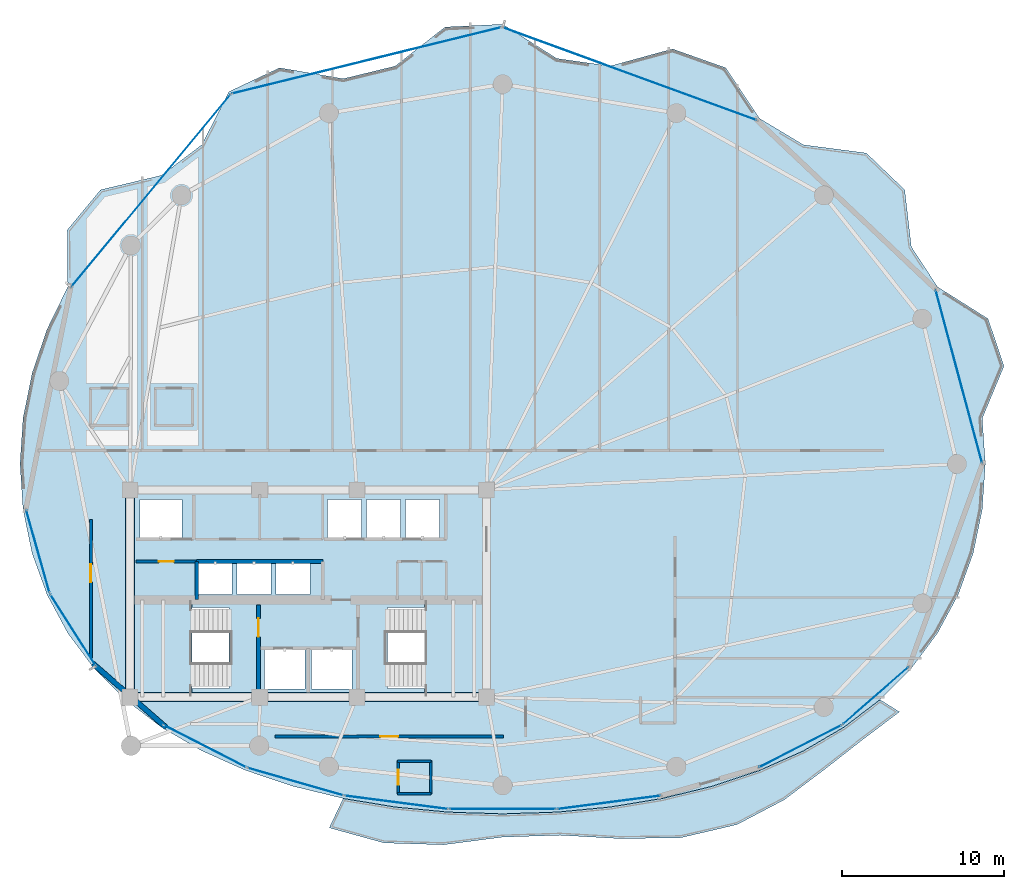
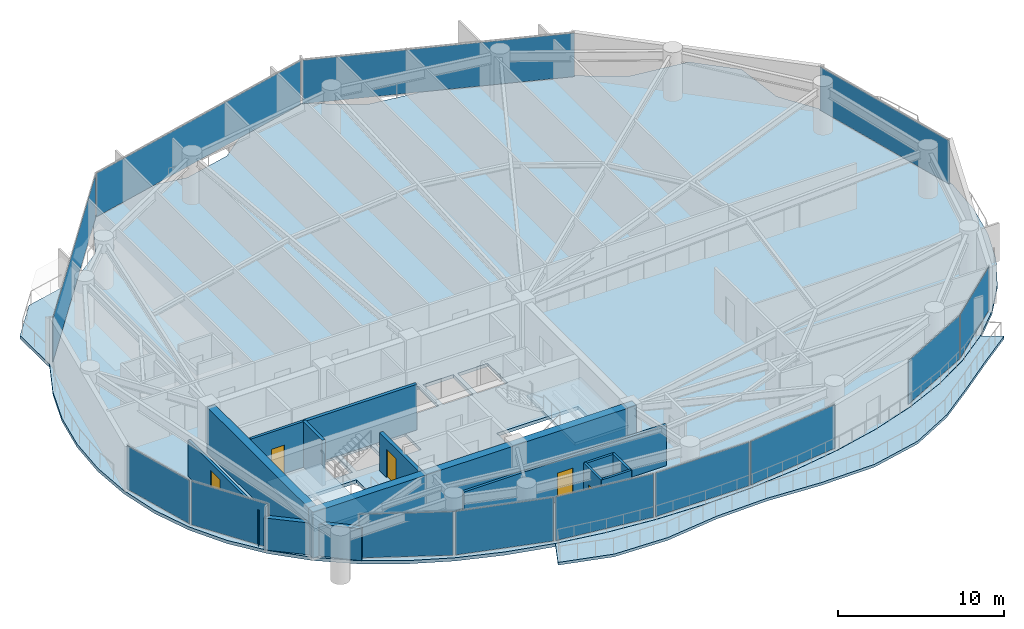
# One storey, part 22 of 28: 13 plates, 13 walls, 5 doors, 4 slabs, 5 openings, 15 elements without a shape of their own.
"""IFC4 building model written with IfcOpenShell, lengths in metres."""

from ifc_helpers import new_model, si_unit, direction, frame, frame_2d, origin, origin_2d, place, context, subcontext, project, spatial, polyline, rectangle, outline, extrude, material, layer, layer_set, type_object, element, fill, aggregate, save


model = new_model("IFC4")

# Units and contexts
model_context = context("Model", 3, precision=1e-05, world=origin(), true_north=direction((0.0, 1.0)))
body_context = subcontext(model_context, "Body", "Model", "MODEL_VIEW")
ifc_project = project(units=[si_unit("LENGTHUNIT", "METRE"), si_unit("AREAUNIT", "SQUARE_METRE"), si_unit("VOLUMEUNIT", "CUBIC_METRE"), si_unit("PLANEANGLEUNIT", "RADIAN"), si_unit("MASSUNIT", "GRAM", prefix="KILO")], contexts=[model_context])

# Site, building, storey
site_placement = place(None, origin())
site = spatial("IfcSite", under=ifc_project, at=site_placement, CompositionType="ELEMENT")
building_placement = place(site_placement, origin())
building = spatial("IfcBuilding", under=site, at=building_placement, Name="Kazevale Care Tower and Concert Hall", CompositionType="ELEMENT")
storey_placement = place(building_placement, frame((0.0, 0.0, 138.60009765625)))
storey = spatial("IfcBuildingStorey", under=building, at=storey_placement, Name="L36", CompositionType="ELEMENT", Elevation=138.60009765625)

# Curtain wall, plate
ifc_material_1 = material(Name="Aluminium 6063-T6 and Low-E Glass", Category="aluminium")
ifc_layer_1 = layer(ifc_material_1, 0.179931640625)
ifc_layer_set_1 = layer_set([ifc_layer_1], Name="Aluminium 6063-T6 and Low-E Glass")
curtain_wall_type_1 = type_object("IfcCurtainWallType", Name="Convex Checkerboard Finned Curtain Wall CW-2", PredefinedType="NOTDEFINED", material=ifc_layer_set_1)
curtain_wall_1_placement = place(storey_placement, origin())
curtain_wall_1 = element("IfcCurtainWall", 1, at=curtain_wall_1_placement, inside=storey, type_object=curtain_wall_type_1, Name="cw:L36:f14", PredefinedType="NOTDEFINED")
ifc_material_2 = material(Name="Low-E Laminated Glass", Category="glass")
ifc_layer_2 = layer(ifc_material_2, 0.028076171875)
ifc_layer_set_2 = layer_set([ifc_layer_2], Name="Low-E Laminated Glass")
plate_type_1 = type_object("IfcPlateType", Name="CW-2 Low-E Glazing Panel 28mm", PredefinedType="CURTAIN_PANEL", material=ifc_layer_set_2)
plate_1_placement = place(storey_placement, frame((23.285888671875, 54.87255859375, 0.074951171875), z_axis=(0.0, 0.0, 1.0), x_axis=(0.637984048061, 0.770049579196, 0.0)))
plate_1 = element("IfcPlate", 2, at=plate_1_placement, type_object=plate_type_1, Name="CW-2 panel 1.1", PredefinedType="CURTAIN_PANEL", context=body_context, shape_type="SweptSolid", body=[
    extrude(rectangle(XDim=15.3701171875, YDim=0.028076171875, at=origin_2d()), origin(), (0.0, 0.0, 1.0), 3.2099609375),
])
aggregate(curtain_wall_1, [plate_1])

curtain_wall_2_placement = place(storey_placement, origin())
curtain_wall_2 = element("IfcCurtainWall", 3, at=curtain_wall_2_placement, inside=storey, type_object=curtain_wall_type_1, Name="cw:L36:f16", PredefinedType="NOTDEFINED")
plate_2_placement = place(storey_placement, frame((52.839599609375, 62.08544921875, 0.074951171875), z_axis=(0.0, 0.0, 1.0), x_axis=(0.939283008641, -0.343143453498, 0.0)))
plate_2 = element("IfcPlate", 4, at=plate_2_placement, type_object=plate_type_1, Name="CW-2 panel 1.1", PredefinedType="CURTAIN_PANEL", context=body_context, shape_type="SweptSolid", body=[
    extrude(rectangle(XDim=16.634765625, YDim=0.028076171875, at=origin_2d()), origin(), (0.0, 0.0, 1.0), 3.2099609375),
])
aggregate(curtain_wall_2, [plate_2])

ifc_layer_3 = layer(ifc_material_1, 0.179931640625)
ifc_layer_set_3 = layer_set([ifc_layer_3], Name="Aluminium 6063-T6 and Low-E Glass")
curtain_wall_type_2 = type_object("IfcCurtainWallType", Name="Convex Recessed Sunroom Curtain Wall CW-3", PredefinedType="NOTDEFINED", material=ifc_layer_set_3)
curtain_wall_3_placement = place(storey_placement, origin())
curtain_wall_3 = element("IfcCurtainWall", 5, at=curtain_wall_3_placement, inside=storey, type_object=curtain_wall_type_2, Name="cw:L36:f15", PredefinedType="NOTDEFINED")
ifc_layer_4 = layer(ifc_material_2, 0.028076171875)
ifc_layer_set_4 = layer_set([ifc_layer_4], Name="Low-E Laminated Glass")
plate_type_2 = type_object("IfcPlateType", Name="CW-3 Low-E Glazing Panel 28mm", PredefinedType="CURTAIN_PANEL", material=ifc_layer_set_4)
plate_3_placement = place(storey_placement, frame((36.595947265625, 62.909423828125, 0.074951171875), z_axis=(0.0, 0.0, 1.0), x_axis=(0.970997657217, 0.239088999495, 0.0)))
plate_3 = element("IfcPlate", 6, at=plate_3_placement, type_object=plate_type_2, Name="CW-3 panel 1.1", PredefinedType="CURTAIN_PANEL", context=body_context, shape_type="SweptSolid", body=[
    extrude(rectangle(XDim=17.061279296875, YDim=0.028076171875, at=origin_2d()), origin(), (0.0, 0.0, 1.0), 3.2099609375),
])
aggregate(curtain_wall_3, [plate_3])

ifc_layer_5 = layer(ifc_material_1, 0.179931640625)
ifc_layer_set_5 = layer_set([ifc_layer_5], Name="Aluminium 6063-T6 and Low-E Glass")
curtain_wall_type_3 = type_object("IfcCurtainWallType", Name="Waist & Upper Residential Curtain Wall CW-4", PredefinedType="NOTDEFINED", material=ifc_layer_set_5)
curtain_wall_4_placement = place(storey_placement, origin())
curtain_wall_4 = element("IfcCurtainWall", 7, at=curtain_wall_4_placement, inside=storey, type_object=curtain_wall_type_3, Name="cw:L36:f11", PredefinedType="NOTDEFINED")
ifc_layer_6 = layer(ifc_material_2, 0.030029296875)
ifc_layer_set_6 = layer_set([ifc_layer_6], Name="Low-E Laminated Glass")
plate_type_3 = type_object("IfcPlateType", Name="CW-4 Low-E Glazing Panel 30mm", PredefinedType="CURTAIN_PANEL", material=ifc_layer_set_6)
plate_4_placement = place(storey_placement, frame((18.470458984375, 27.75244140625, 0.080078125), z_axis=(0.0, 0.0, 1.0), x_axis=(-0.537239193981, 0.843429930967, 0.0)))
plate_4 = element("IfcPlate", 8, at=plate_4_placement, type_object=plate_type_3, Name="CW-4 panel 1.1", PredefinedType="CURTAIN_PANEL", context=body_context, shape_type="SweptSolid", body=[
    extrude(rectangle(XDim=5.176513671875, YDim=0.030029296875, at=origin_2d()), origin(), (0.0, 0.0, 1.0), 3.199951171875),
])
aggregate(curtain_wall_4, [plate_4])

curtain_wall_5_placement = place(storey_placement, origin())
curtain_wall_5 = element("IfcCurtainWall", 9, at=curtain_wall_5_placement, inside=storey, type_object=curtain_wall_type_3, Name="cw:L36:f12", PredefinedType="NOTDEFINED")
plate_5_placement = place(storey_placement, frame((16.301513671875, 32.612548828125, 0.080078125), z_axis=(0.0, 0.0, 1.0), x_axis=(-0.271284948278, 0.962499078876, 0.0)))
plate_5 = element("IfcPlate", 10, at=plate_5_placement, type_object=plate_type_3, Name="CW-4 panel 1.1", PredefinedType="CURTAIN_PANEL", context=body_context, shape_type="SweptSolid", body=[
    extrude(rectangle(XDim=5.262451171875, YDim=0.030029296875, at=origin_2d()), origin(), (0.0, 0.0, 1.0), 3.199951171875),
])
aggregate(curtain_wall_5, [plate_5])

curtain_wall_6_placement = place(storey_placement, origin())
curtain_wall_6 = element("IfcCurtainWall", 11, at=curtain_wall_6_placement, inside=storey, type_object=curtain_wall_type_3, Name="cw:L36:f18", PredefinedType="NOTDEFINED")
plate_6_placement = place(storey_placement, frame((73.169921875, 43.401611328125, 0.080078125), z_axis=(0.0, 0.0, 1.0), x_axis=(0.259264848961, -0.965806263229, 0.0)))
plate_6 = element("IfcPlate", 12, at=plate_6_placement, type_object=plate_type_3, Name="CW-4 panel 1.1", PredefinedType="CURTAIN_PANEL", context=body_context, shape_type="SweptSolid", body=[
    extrude(rectangle(XDim=11.025390625, YDim=0.030029296875, at=origin_2d()), origin(), (0.0, 0.0, 1.0), 3.199951171875),
])
aggregate(curtain_wall_6, [plate_6])

ifc_layer_7 = layer(ifc_material_1, 0.179931640625)
ifc_layer_set_7 = layer_set([ifc_layer_7], Name="Aluminium 6063-T6 and Low-E Glass")
curtain_wall_type_4 = type_object("IfcCurtainWallType", Name="Sheltered Concave Balcony Curtain Wall CW-5", PredefinedType="NOTDEFINED", material=ifc_layer_set_7)
curtain_wall_7_placement = place(storey_placement, origin())
curtain_wall_7 = element("IfcCurtainWall", 13, at=curtain_wall_7_placement, inside=storey, type_object=curtain_wall_type_4, Name="cw:L36:f02", PredefinedType="NOTDEFINED")
ifc_layer_8 = layer(ifc_material_2, 0.02587890625)
ifc_layer_set_8 = layer_set([ifc_layer_8], Name="Low-E Laminated Glass")
plate_type_4 = type_object("IfcPlateType", Name="CW-5 Low-E Glazing Panel 26mm", PredefinedType="CURTAIN_PANEL", material=ifc_layer_set_8)
plate_7_placement = place(storey_placement, frame((68.033447265625, 23.699951171875, 0.074951171875), z_axis=(0.0, 0.0, 1.0), x_axis=(-0.753062779437, -0.657948668382, 0.0)))
plate_7 = element("IfcPlate", 14, at=plate_7_placement, type_object=plate_type_4, Name="CW-5 panel 1.1", PredefinedType="CURTAIN_PANEL", context=body_context, shape_type="SweptSolid", body=[
    extrude(rectangle(XDim=5.32763671875, YDim=0.02587890625, at=origin_2d()), origin(), (0.0, 0.0, 1.0), 3.2099609375),
])
aggregate(curtain_wall_7, [plate_7])

curtain_wall_8_placement = place(storey_placement, origin())
curtain_wall_8 = element("IfcCurtainWall", 15, at=curtain_wall_8_placement, inside=storey, type_object=curtain_wall_type_4, Name="cw:L36:f03", PredefinedType="NOTDEFINED")
plate_8_placement = place(storey_placement, frame((63.3798828125, 20.571533203125, 0.074951171875), z_axis=(0.0, 0.0, 1.0), x_axis=(-0.890126646051, -0.455713236575, 0.0)))
plate_8 = element("IfcPlate", 16, at=plate_8_placement, type_object=plate_type_4, Name="CW-5 panel 1.1", PredefinedType="CURTAIN_PANEL", context=body_context, shape_type="SweptSolid", body=[
    extrude(rectangle(XDim=5.671630859375, YDim=0.02587890625, at=origin_2d()), origin(), (0.0, 0.0, 1.0), 3.2099609375),
])
aggregate(curtain_wall_8, [plate_8])

curtain_wall_9_placement = place(storey_placement, origin())
curtain_wall_9 = element("IfcCurtainWall", 17, at=curtain_wall_9_placement, inside=storey, type_object=curtain_wall_type_4, Name="cw:L36:f05", PredefinedType="NOTDEFINED")
plate_9_placement = place(storey_placement, frame((51.5654296875, 17.1044921875, 0.074951171875), z_axis=(0.0, 0.0, 1.0), x_axis=(-0.991685519364, -0.12868500567, 0.0)))
plate_9 = element("IfcPlate", 18, at=plate_9_placement, type_object=plate_type_4, Name="CW-5 panel 1.1", PredefinedType="CURTAIN_PANEL", context=body_context, shape_type="SweptSolid", body=[
    extrude(rectangle(XDim=6.38525390625, YDim=0.02587890625, at=origin_2d()), origin(), (0.0, 0.0, 1.0), 3.2099609375),
])
aggregate(curtain_wall_9, [plate_9])

curtain_wall_10_placement = place(storey_placement, origin())
curtain_wall_10 = element("IfcCurtainWall", 19, at=curtain_wall_10_placement, inside=storey, type_object=curtain_wall_type_4, Name="cw:L36:f06", PredefinedType="NOTDEFINED")
plate_10_placement = place(storey_placement, frame((45.0, 16.68408203125, 0.074951171875), z_axis=(0.0, 0.0, 1.0), x_axis=(-1.0, 0.0, 0.0)))
plate_10 = element("IfcPlate", 20, at=plate_10_placement, type_object=plate_type_4, Name="CW-5 panel 1.1", PredefinedType="CURTAIN_PANEL", context=body_context, shape_type="SweptSolid", body=[
    extrude(rectangle(XDim=6.5, YDim=0.02587890625, at=origin_2d()), origin(), (0.0, 0.0, 1.0), 3.2099609375),
])
aggregate(curtain_wall_10, [plate_10])

curtain_wall_11_placement = place(storey_placement, origin())
curtain_wall_11 = element("IfcCurtainWall", 21, at=curtain_wall_11_placement, inside=storey, type_object=curtain_wall_type_4, Name="cw:L36:f07", PredefinedType="NOTDEFINED")
plate_11_placement = place(storey_placement, frame((38.4345703125, 17.1044921875, 0.074951171875), z_axis=(0.0, 0.0, 1.0), x_axis=(-0.991685519364, 0.12868500567, 0.0)))
plate_11 = element("IfcPlate", 22, at=plate_11_placement, type_object=plate_type_4, Name="CW-5 panel 1.1", PredefinedType="CURTAIN_PANEL", context=body_context, shape_type="SweptSolid", body=[
    extrude(rectangle(XDim=6.38525390625, YDim=0.02587890625, at=origin_2d()), origin(), (0.0, 0.0, 1.0), 3.2099609375),
])
aggregate(curtain_wall_11, [plate_11])

curtain_wall_12_placement = place(storey_placement, origin())
curtain_wall_12 = element("IfcCurtainWall", 23, at=curtain_wall_12_placement, inside=storey, type_object=curtain_wall_type_4, Name="cw:L36:f08", PredefinedType="NOTDEFINED")
plate_12_placement = place(storey_placement, frame((32.202392578125, 18.385009765625, 0.074951171875), z_axis=(0.0, 0.0, 1.0), x_axis=(-0.961074102639, 0.276290733172, 0.0)))
plate_12 = element("IfcPlate", 24, at=plate_12_placement, type_object=plate_type_4, Name="CW-5 panel 1.1", PredefinedType="CURTAIN_PANEL", context=body_context, shape_type="SweptSolid", body=[
    extrude(rectangle(XDim=6.075439453125, YDim=0.02587890625, at=origin_2d()), origin(), (0.0, 0.0, 1.0), 3.2099609375),
])
aggregate(curtain_wall_12, [plate_12])

curtain_wall_13_placement = place(storey_placement, origin())
curtain_wall_13 = element("IfcCurtainWall", 25, at=curtain_wall_13_placement, inside=storey, type_object=curtain_wall_type_4, Name="cw:L36:f09", PredefinedType="NOTDEFINED")
plate_13_placement = place(storey_placement, frame((26.6201171875, 20.571533203125, 0.074951171875), z_axis=(0.0, 0.0, 1.0), x_axis=(-0.890126646051, 0.455713236575, 0.0)))
plate_13 = element("IfcPlate", 26, at=plate_13_placement, type_object=plate_type_4, Name="CW-5 panel 1.1", PredefinedType="CURTAIN_PANEL", context=body_context, shape_type="SweptSolid", body=[
    extrude(rectangle(XDim=5.671630859375, YDim=0.02587890625, at=origin_2d()), origin(), (0.0, 0.0, 1.0), 3.2099609375),
])
aggregate(curtain_wall_13, [plate_13])

# Slab
ifc_material_3 = material(Name="Concrete C40", Category="concrete")
ifc_layer_9 = layer(ifc_material_3, 0.199951171875)
ifc_layer_set_9 = layer_set([ifc_layer_9], Name="Concrete C40")
slab_type_1 = type_object("IfcSlabType", Name="Sinusoidal Concave Balcony Slab 200", PredefinedType="USERDEFINED", material=ifc_layer_set_9)
slab_1_placement = place(storey_placement, frame((0.0, 0.0, -0.2001953125)))
element("IfcSlab", 27, at=slab_1_placement, inside=storey, type_object=slab_type_1, Name="slab:L36:bal", ObjectType="BALCONY", PredefinedType="USERDEFINED", context=body_context, shape_type="SweptSolid", body=[
    extrude(outline(polyline([(69.502685546875, 22.6943359375), (67.14794921875, 20.917724609375), (64.82861328125, 19.10205078125), (62.377197265625, 17.26025390625), (59.466552734375, 15.73291015625), (55.998291015625, 14.922607421875), (52.24169921875, 14.868408203125), (48.55810546875, 15.07763671875), (45.0, 14.960693359375), (41.3505859375, 14.48779296875), (37.6748046875, 14.601806640625), (34.293701171875, 15.53515625), (35.155517578125, 17.343505859375), (35.15673828125, 17.34326171875), (38.368408203125, 16.81396484375), (41.6630859375, 16.49951171875), (45.0, 16.39501953125), (48.3369140625, 16.49951171875), (51.631591796875, 16.81396484375), (54.84326171875, 17.34326171875), (57.93115234375, 18.09375), (60.8564453125, 19.07275390625), (63.582275390625, 20.28759765625), (66.07470703125, 21.74365234375), (68.302001953125, 23.442626953125), (68.302978515625, 23.44384765625), (69.502685546875, 22.6943359375)])), origin(), (0.0, 0.0, 1.0), 0.2001953125),
])

# Stair, slab
stair_type = type_object("IfcStairType", Name="Exit Stair Assembly ST1-Z2", PredefinedType="HALF_TURN_STAIR", material=ifc_material_3)
stair_1_placement = place(storey_placement, origin())
stair_1 = element("IfcStair", 28, at=stair_1_placement, inside=storey, type_object=stair_type, Name="stair:L36:ST1", PredefinedType="HALF_TURN_STAIR")
ifc_layer_10 = layer(ifc_material_3, 0.199951171875)
ifc_layer_set_10 = layer_set([ifc_layer_10], Name="Concrete C40")
slab_type_2 = type_object("IfcSlabType", Name="Stair Half-Landing Slab ST1-Z2", PredefinedType="LANDING", material=ifc_layer_set_10)
slab_2_placement = place(storey_placement, frame((0.0, 0.0, 1.599853515625)))
slab_2 = element("IfcSlab", 29, at=slab_2_placement, type_object=slab_type_2, Name="ST1-Z2 landing 1", PredefinedType="LANDING", context=body_context, shape_type="SweptSolid", body=[
    extrude(outline(polyline([(22.050048828125, 23.699951171875), (25.81005859375, 23.699951171875), (25.81005859375, 29.5), (22.050048828125, 29.5), (22.050048828125, 23.699951171875)])), origin(), (0.0, 0.0, 1.0), 0.199951171875),
])
aggregate(stair_1, [slab_2])

stair_2_placement = place(storey_placement, origin())
stair_2 = element("IfcStair", 30, at=stair_2_placement, inside=storey, type_object=stair_type, Name="stair:L36:ST2", PredefinedType="HALF_TURN_STAIR")
slab_3_placement = place(storey_placement, frame((0.0, 0.0, 1.599853515625)))
slab_3 = element("IfcSlab", 31, at=slab_3_placement, type_object=slab_type_2, Name="ST1-Z2 landing 1", PredefinedType="LANDING", context=body_context, shape_type="SweptSolid", body=[
    extrude(outline(polyline([(40.18994140625, 23.699951171875), (43.949951171875, 23.699951171875), (43.949951171875, 29.5), (40.18994140625, 29.5), (40.18994140625, 23.699951171875)])), origin(), (0.0, 0.0, 1.0), 0.199951171875),
])
aggregate(stair_2, [slab_3])

# Slab
ifc_layer_11 = layer(ifc_material_3, 0.239990234375)
ifc_layer_set_11 = layer_set([ifc_layer_11], Name="Concrete C40")
slab_type_3 = type_object("IfcSlabType", Name="Tower Typical Floor Slab 240", PredefinedType="FLOOR", material=ifc_layer_set_11)
slab_4_placement = place(storey_placement, frame((0.0, 0.0, -0.239990234375)))
element("IfcSlab", 32, at=slab_4_placement, inside=storey, type_object=slab_type_3, Name="slab:L36:tw:1", PredefinedType="FLOOR", context=body_context, shape_type="SweptSolid", body=[
    extrude(outline(polyline([(74.800048828125, 38.0), (74.612548828125, 40.821533203125), (75.9541015625, 44.04150390625), (74.96826171875, 46.967041015625), (71.848876953125, 48.933837890625), (70.232421875, 51.4072265625), (69.822998046875, 54.927734375), (67.45068359375, 57.197998046875), (63.580078125, 57.7021484375), (60.8544921875, 59.33740234375), (58.77587890625, 62.461181640625), (55.486328125, 63.62646484375), (51.631103515625, 62.568115234375), (48.33642578125, 63.04150390625), (45.0, 65.14990234375), (41.445068359375, 64.979248046875), (38.368896484375, 62.568115234375), (35.15771484375, 61.785888671875), (31.22412109375, 62.461181640625), (28.10791015625, 60.988525390625), (26.419921875, 57.7021484375), (23.92822265625, 55.819091796875), (20.177001953125, 54.927734375), (18.116455078125, 52.444580078125), (18.151123046875, 48.933837890625), (16.872314453125, 46.322998046875), (15.947021484375, 43.607421875), (15.387451171875, 40.821533203125), (15.199951171875, 38.0), (15.387451171875, 35.197265625), (15.947021484375, 32.490234375), (16.872314453125, 29.92919921875), (18.151123046875, 27.551513671875), (19.767578125, 25.384521484375), (21.701416015625, 23.446533203125), (23.92822265625, 21.747802734375), (26.419921875, 20.2919921875), (29.1455078125, 19.077392578125), (32.0703125, 18.098388671875), (35.15771484375, 17.34814453125), (38.368896484375, 16.819091796875), (41.66357421875, 16.50439453125), (45.0, 16.39990234375), (48.33642578125, 16.50439453125), (51.631103515625, 16.819091796875), (54.84228515625, 17.34814453125), (57.9296875, 18.098388671875), (60.8544921875, 19.077392578125), (63.580078125, 20.2919921875), (66.07177734375, 21.747802734375), (68.298583984375, 23.446533203125), (70.232421875, 25.384521484375), (71.848876953125, 27.551513671875), (73.127685546875, 29.92919921875), (74.052978515625, 32.490234375), (74.612548828125, 35.197265625), (74.800048828125, 38.0)]), holes=[polyline([(22.449951171875, 24.14990234375), (28.110107421875, 24.14990234375), (28.110107421875, 29.14990234375), (22.449951171875, 29.14990234375), (22.449951171875, 24.14990234375)]), polyline([(37.889892578125, 24.14990234375), (43.550048828125, 24.14990234375), (43.550048828125, 29.14990234375), (37.889892578125, 29.14990234375), (37.889892578125, 24.14990234375)]), polyline([(30.300048828125, 24.10009765625), (32.800048828125, 24.10009765625), (32.800048828125, 26.60009765625), (30.300048828125, 26.60009765625), (30.300048828125, 24.10009765625)]), polyline([(33.199951171875, 24.10009765625), (35.699951171875, 24.10009765625), (35.699951171875, 26.60009765625), (33.199951171875, 26.60009765625), (33.199951171875, 24.10009765625)]), polyline([(22.60009765625, 33.39990234375), (25.199951171875, 33.39990234375), (25.199951171875, 35.800048828125), (22.60009765625, 35.800048828125), (22.60009765625, 33.39990234375)]), polyline([(34.199951171875, 33.39990234375), (36.300048828125, 33.39990234375), (36.300048828125, 35.800048828125), (34.199951171875, 35.800048828125), (34.199951171875, 33.39990234375)]), polyline([(36.60009765625, 33.39990234375), (38.699951171875, 33.39990234375), (38.699951171875, 35.800048828125), (36.60009765625, 35.800048828125), (36.60009765625, 33.39990234375)]), polyline([(39.0, 33.39990234375), (41.10009765625, 33.39990234375), (41.10009765625, 35.800048828125), (39.0, 35.800048828125), (39.0, 33.39990234375)]), polyline([(26.199951171875, 29.949951171875), (28.300048828125, 29.949951171875), (28.300048828125, 31.949951171875), (26.199951171875, 31.949951171875), (26.199951171875, 29.949951171875)]), polyline([(28.60009765625, 29.949951171875), (30.699951171875, 29.949951171875), (30.699951171875, 31.949951171875), (28.60009765625, 31.949951171875), (28.60009765625, 29.949951171875)]), polyline([(31.0, 29.949951171875), (33.10009765625, 29.949951171875), (33.10009765625, 31.949951171875), (31.0, 31.949951171875), (31.0, 29.949951171875)])]), origin(), (0.0, 0.0, 1.0), 0.239990234375),
])

# Walls
ifc_material_4 = material(Name="Concrete C60", Category="concrete")
ifc_layer_12 = layer(ifc_material_4, 0.550048828125)
ifc_layer_set_12 = layer_set([ifc_layer_12], Name="Concrete C60")
wall_type_1 = type_object("IfcWallType", Name="Core Shear Wall 550 C60", PredefinedType="SHEAR", material=ifc_layer_set_12)
wall_1_placement = place(storey_placement, frame((21.72509765625, 23.60009765625, 0.0), z_axis=(0.0, 0.0, 1.0), x_axis=(1.0, 0.0, 0.0)))
element("IfcWall", 33, at=wall_1_placement, inside=storey, type_object=wall_type_1, Name="wall:L36:core:S", PredefinedType="SHEAR", context=body_context, shape_type="SweptSolid", body=[
    extrude(rectangle(XDim=22.5498046875, YDim=0.550048828125, at=frame_2d((11.27490234375, 0.0))), origin(), (0.0, 0.0, 1.0), 3.35986328125),
])
wall_2_placement = place(storey_placement, frame((22.0, 23.875, 0.0), z_axis=(0.0, 0.0, 1.0), x_axis=(0.0, 1.0, 0.0)))
element("IfcWall", 34, at=wall_2_placement, inside=storey, type_object=wall_type_1, Name="wall:L36:core:W", PredefinedType="SHEAR", context=body_context, shape_type="SweptSolid", body=[
    extrude(rectangle(XDim=12.25, YDim=0.550048828125, at=frame_2d((6.125, 0.0))), origin(), (0.0, 0.0, 1.0), 3.35986328125),
])
ifc_layer_13 = layer(ifc_material_3, 0.219970703125)
ifc_layer_set_13 = layer_set([ifc_layer_13], Name="Concrete C40")
wall_type_2 = type_object("IfcWallType", Name="Elevator Hoistway Shaft Wall 220", PredefinedType="SOLIDWALL", material=ifc_layer_set_13)
wall_3_placement = place(storey_placement, frame((26.10009765625, 29.6201171875, 0.0), z_axis=(0.0, 0.0, 1.0), x_axis=(0.0, 1.0, 0.0)))
element("IfcWall", 35, at=wall_3_placement, inside=storey, type_object=wall_type_2, Name="wall:L36:c_ph_w", PredefinedType="SOLIDWALL", context=body_context, shape_type="SweptSolid", body=[
    extrude(rectangle(XDim=2.35986328125, YDim=0.219970703125, at=frame_2d((1.179931640625, 0.0))), origin(), (0.0, 0.0, 1.0), 3.35986328125),
])
wall_4_placement = place(storey_placement, frame((26.10009765625, 31.97998046875, 0.0), z_axis=(0.0, 0.0, 1.0), x_axis=(1.0, 0.0, 0.0)))
element("IfcWall", 36, at=wall_4_placement, inside=storey, type_object=wall_type_2, Name="wall:L36:c_ph_n", PredefinedType="SOLIDWALL", context=body_context, shape_type="SweptSolid", body=[
    extrude(rectangle(XDim=7.7998046875, YDim=0.219970703125, at=frame_2d((3.89990234375, 0.0))), origin(), (0.0, 0.0, 1.0), 3.35986328125),
])

# Wall, opening, door
ifc_material_5 = material(Name="Concrete C40 and Acoustic Gypsum", Category="concrete")
ifc_layer_14 = layer(ifc_material_5, 0.179931640625)
ifc_layer_set_14 = layer_set([ifc_layer_14], Name="Concrete C40 and Acoustic Gypsum")
wall_type_3 = type_object("IfcWallType", Name="Fire-Rated Corridor & Party Wall 180", PredefinedType="PARTITIONING", material=ifc_layer_set_14)
wall_5_placement = place(storey_placement, frame((22.35009765625, 31.97998046875, 0.0), z_axis=(0.0, 0.0, 1.0), x_axis=(1.0, 0.0, 0.0)))
wall_5 = element("IfcWall", 37, at=wall_5_placement, inside=storey, type_object=wall_type_3, Name="wall:L36:ka_wn1", PredefinedType="PARTITIONING", context=body_context, shape_type="SweptSolid", body=[
    extrude(rectangle(XDim=3.75, YDim=0.179931640625, at=frame_2d((1.875, 0.0))), origin(), (0.0, 0.0, 1.0), 3.35986328125),
])
opening_1_placement = place(wall_5_placement, frame((1.425048828125, 0.0, 0.0)))
opening_1 = element("IfcOpeningElement", 38, at=opening_1_placement, cuts=wall_5, Name="Opening ID-900", PredefinedType="OPENING", context=body_context, shape_type="SweptSolid", body=[
    extrude(rectangle(XDim=0.919921875, YDim=2.10009765625, at=frame_2d((0.4599609375, 1.050048828125))), frame((0.0, 0.099853515625, 0.0), z_axis=(0.0, -1.0, 0.0), x_axis=(1.0, 0.0, 0.0)), (0.0, 0.0, 1.0), 0.199951171875),
])
ifc_material_6 = material(Name="Oak Timber Fire Leaf", Category="wood")
door_type_1 = type_object("IfcDoorType", Name="Bathroom & Service Door 920x2100", OperationType="NOTDEFINED", PredefinedType="DOOR", material=ifc_material_6)
door_1_placement = place(opening_1_placement, origin())
door_1 = element("IfcDoor", 39, at=door_1_placement, inside=storey, type_object=door_type_1, Name="door:L36:d_kaw", OperationType="SINGLE_SWING_LEFT", OverallHeight=2.10009765625, OverallWidth=0.919921875, PredefinedType="DOOR", context=body_context, shape_type="SweptSolid", body=[
    extrude(rectangle(XDim=0.919921875, YDim=2.10009765625, at=frame_2d((0.4599609375, 1.050048828125))), frame((0.0, 0.02490234375, 0.0), z_axis=(0.0, -1.0, 0.0), x_axis=(1.0, 0.0, 0.0)), (0.0, 0.0, 1.0), 0.050048828125),
])
fill(opening_1, door_1)

wall_6_placement = place(storey_placement, frame((45.06494140625, 21.175048828125, 0.0), z_axis=(0.0, 0.0, 1.0), x_axis=(-1.0, 0.0, 0.0)))
wall_6 = element("IfcWall", 40, at=wall_6_placement, inside=storey, type_object=wall_type_3, Name="wall:L36:auto_019", PredefinedType="PARTITIONING", context=body_context, shape_type="SweptSolid", body=[
    extrude(rectangle(XDim=14.1298828125, YDim=0.179931640625, at=frame_2d((7.06494140625, 0.0))), origin(), (0.0, 0.0, 1.0), 2.995849609375),
])
opening_2_placement = place(wall_6_placement, frame((6.514892578125, 0.0, 0.0)))
opening_2 = element("IfcOpeningElement", 41, at=opening_2_placement, cuts=wall_6, Name="Opening ID-1100", PredefinedType="OPENING", context=body_context, shape_type="SweptSolid", body=[
    extrude(rectangle(XDim=1.10009765625, YDim=2.10009765625, at=frame_2d((0.550048828125, 1.050048828125))), frame((0.0, 0.099853515625, 0.0), z_axis=(0.0, -1.0, 0.0), x_axis=(1.0, 0.0, 0.0)), (0.0, 0.0, 1.0), 0.199951171875),
])
door_type_2 = type_object("IfcDoorType", Name="Care Bedroom Accessible Door 1100x2100", OperationType="NOTDEFINED", PredefinedType="DOOR", material=ifc_material_6)
door_2_placement = place(opening_2_placement, origin())
door_2 = element("IfcDoor", 42, at=door_2_placement, inside=storey, type_object=door_type_2, Name="door:L36:ad_019", OperationType="SINGLE_SWING_LEFT", OverallHeight=2.10009765625, OverallWidth=1.10009765625, PredefinedType="DOOR", context=body_context, shape_type="SweptSolid", body=[
    extrude(rectangle(XDim=1.10009765625, YDim=2.10009765625, at=frame_2d((0.550048828125, 1.050048828125))), frame((0.0, 0.02490234375, 0.0), z_axis=(0.0, -1.0, 0.0), x_axis=(1.0, 0.0, 0.0)), (0.0, 0.0, 1.0), 0.050048828125),
])
fill(opening_2, door_2)

wall_7_placement = place(storey_placement, frame((19.574951171875, 26.028564453125, 0.0), z_axis=(0.0, 0.0, 1.0), x_axis=(0.0, 1.0, 0.0)))
wall_7 = element("IfcWall", 43, at=wall_7_placement, inside=storey, type_object=wall_type_3, Name="wall:L36:auto_020", PredefinedType="PARTITIONING", context=body_context, shape_type="SweptSolid", body=[
    extrude(rectangle(XDim=8.536376953125, YDim=0.179931640625, at=frame_2d((4.26806640625, 0.0))), origin(), (0.0, 0.0, 1.0), 2.656982421875),
])
opening_3_placement = place(wall_7_placement, frame((4.6708984375, 0.0, 0.0)))
opening_3 = element("IfcOpeningElement", 44, at=opening_3_placement, cuts=wall_7, Name="Opening ID-1100", PredefinedType="OPENING", context=body_context, shape_type="SweptSolid", body=[
    extrude(rectangle(XDim=1.10009765625, YDim=2.10009765625, at=frame_2d((0.550048828125, 1.050048828125))), frame((0.0, 0.099853515625, 0.0), z_axis=(0.0, -1.0, 0.0), x_axis=(1.0, 0.0, 0.0)), (0.0, 0.0, 1.0), 0.199951171875),
])
door_3_placement = place(opening_3_placement, origin())
door_3 = element("IfcDoor", 45, at=door_3_placement, inside=storey, type_object=door_type_2, Name="door:L36:ad_020", OperationType="SINGLE_SWING_LEFT", OverallHeight=2.10009765625, OverallWidth=1.10009765625, PredefinedType="DOOR", context=body_context, shape_type="SweptSolid", body=[
    extrude(rectangle(XDim=1.10009765625, YDim=2.10009765625, at=frame_2d((0.550048828125, 1.050048828125))), frame((0.0, 0.02490234375, 0.0), z_axis=(0.0, -1.0, 0.0), x_axis=(1.0, 0.0, 0.0)), (0.0, 0.0, 1.0), 0.050048828125),
])
fill(opening_3, door_3)

# Walls
ifc_material_7 = material(Name="Acoustic Gypsum on Steel Stud", Category="steel")
ifc_layer_15 = layer(ifc_material_7, 0.159912109375)
ifc_layer_set_15 = layer_set([ifc_layer_15], Name="Acoustic Gypsum on Steel Stud")
wall_type_4 = type_object("IfcWallType", Name="Moisture-Resistant Bathroom Plumbing Wall 160", PredefinedType="PLUMBINGWALL", material=ifc_layer_set_15)
for number, where, z_axis, x_axis, name in (
    (46, (38.510009765625, 17.64794921875, 0.0), (0.0, 0.0, 1.0), (1.0, 0.0, 0.0), "wall:L36:sb2_ens_ws"),
    (47, (38.510009765625, 19.64794921875, 0.0), (0.0, 0.0, 1.0), (1.0, 0.0, 0.0), "wall:L36:sb2_ens_wn"),
):
    element("IfcWall", number, at=place(storey_placement, frame(where, z_axis=z_axis, x_axis=x_axis)), inside=storey, type_object=wall_type_4, Name=name, PredefinedType="PLUMBINGWALL", context=body_context, shape_type="SweptSolid", body=[
        extrude(rectangle(XDim=2.080078125, YDim=0.159912109375, at=frame_2d((1.0400390625, 0.0))), origin(), (0.0, 0.0, 1.0), 3.35986328125),
    ])

# Wall, opening, door
wall_8_placement = place(storey_placement, frame((38.550048828125, 17.60791015625, 0.0), z_axis=(0.0, 0.0, 1.0), x_axis=(0.0, 1.0, 0.0)))
wall_8 = element("IfcWall", 48, at=wall_8_placement, inside=storey, type_object=wall_type_4, Name="wall:L36:sb2_ens_ww", PredefinedType="PLUMBINGWALL", context=body_context, shape_type="SweptSolid", body=[
    extrude(rectangle(XDim=2.080078125, YDim=0.159912109375, at=frame_2d((1.0400390625, 0.0))), origin(), (0.0, 0.0, 1.0), 3.35986328125),
])
opening_4_placement = place(wall_8_placement, frame((0.590087890625, 0.0, 0.0)))
opening_4 = element("IfcOpeningElement", 49, at=opening_4_placement, cuts=wall_8, Name="Opening ID-900", PredefinedType="OPENING", context=body_context, shape_type="SweptSolid", body=[
    extrude(rectangle(XDim=0.919921875, YDim=2.10009765625, at=frame_2d((0.4599609375, 1.050048828125))), frame((0.0, 0.08984375, 0.0), z_axis=(0.0, -1.0, 0.0), x_axis=(1.0, 0.0, 0.0)), (0.0, 0.0, 1.0), 0.179931640625),
])
door_4_placement = place(opening_4_placement, origin())
door_4 = element("IfcDoor", 50, at=door_4_placement, inside=storey, type_object=door_type_1, Name="door:L36:sb2_ens_d", OperationType="SINGLE_SWING_LEFT", OverallHeight=2.10009765625, OverallWidth=0.919921875, PredefinedType="DOOR", context=body_context, shape_type="SweptSolid", body=[
    extrude(rectangle(XDim=0.919921875, YDim=2.10009765625, at=frame_2d((0.4599609375, 1.050048828125))), frame((0.0, 0.02490234375, 0.0), z_axis=(0.0, -1.0, 0.0), x_axis=(1.0, 0.0, 0.0)), (0.0, 0.0, 1.0), 0.050048828125),
])
fill(opening_4, door_4)

# Wall
wall_9_placement = place(storey_placement, frame((40.550048828125, 17.60791015625, 0.0), z_axis=(0.0, 0.0, 1.0), x_axis=(0.0, 1.0, 0.0)))
element("IfcWall", 51, at=wall_9_placement, inside=storey, type_object=wall_type_4, Name="wall:L36:sb2_ens_we", PredefinedType="PLUMBINGWALL", context=body_context, shape_type="SweptSolid", body=[
    extrude(rectangle(XDim=2.080078125, YDim=0.159912109375, at=frame_2d((1.0400390625, 0.0))), origin(), (0.0, 0.0, 1.0), 3.35986328125),
])

# Wall, opening, door
ifc_layer_16 = layer(ifc_material_3, 0.25)
ifc_layer_set_16 = layer_set([ifc_layer_16], Name="Concrete C40")
wall_type_5 = type_object("IfcWallType", Name="Pressurized Stair Shaft Wall 250", PredefinedType="SOLIDWALL", material=ifc_layer_set_16)
wall_10_placement = place(storey_placement, frame((29.919921875, 23.89990234375, 0.0), z_axis=(0.0, 0.0, 1.0), x_axis=(0.0, 1.0, 0.0)))
wall_10 = element("IfcWall", 52, at=wall_10_placement, inside=storey, type_object=wall_type_5, Name="wall:L36:c_st1_e", PredefinedType="SOLIDWALL", context=body_context, shape_type="SweptSolid", body=[
    extrude(rectangle(XDim=5.400146484375, YDim=0.25, at=frame_2d((2.7001953125, 0.0))), origin(), (0.0, 0.0, 1.0), 2.805908203125),
])
opening_5_placement = place(wall_10_placement, frame((3.4208984375, 0.0, 0.0)))
opening_5 = element("IfcOpeningElement", 53, at=opening_5_placement, cuts=wall_10, Name="Opening FD-90", PredefinedType="OPENING", context=body_context, shape_type="SweptSolid", body=[
    extrude(rectangle(XDim=1.14990234375, YDim=2.10009765625, at=frame_2d((0.574951171875, 1.050048828125))), frame((0.0, 0.135009765625, 0.0), z_axis=(0.0, -1.0, 0.0), x_axis=(1.0, 0.0, 0.0)), (0.0, 0.0, 1.0), 0.27001953125),
])
ifc_material_8 = material(Name="Steel ASTM A572 Gr 50", Category="steel")
door_type_3 = type_object("IfcDoorType", Name="Pressurized Stair & Lobby Fire Door 1150x2100", OperationType="NOTDEFINED", PredefinedType="DOOR", material=ifc_material_8)
door_5_placement = place(opening_5_placement, origin())
door_5 = element("IfcDoor", 54, at=door_5_placement, inside=storey, type_object=door_type_3, Name="door:L36:st1", OperationType="SINGLE_SWING_RIGHT", OverallHeight=2.10009765625, OverallWidth=1.14990234375, PredefinedType="DOOR", context=body_context, shape_type="SweptSolid", body=[
    extrude(rectangle(XDim=1.14990234375, YDim=2.10009765625, at=frame_2d((0.574951171875, 1.050048828125))), frame((0.0, 0.02490234375, 0.0), z_axis=(0.0, -1.0, 0.0), x_axis=(1.0, 0.0, 0.0)), (0.0, 0.0, 1.0), 0.050048828125),
])
fill(opening_5, door_5)

# Wall
ifc_material_9 = material(Name="Concrete C40 with Honed Limestone Cladding", Category="masonry")
ifc_layer_17 = layer(ifc_material_9, 0.320068359375)
ifc_layer_set_17 = layer_set([ifc_layer_17], Name="Concrete C40 with Honed Limestone Cladding")
wall_type_6 = type_object("IfcWallType", Name="Tower Honed Limestone Spandrel Wall 320", PredefinedType="STANDARD", material=ifc_layer_set_17)
wall_11_placement = place(storey_placement, frame((24.22509765625, 21.72705078125, 0.0), z_axis=(0.0, 0.0, 1.0), x_axis=(-0.753105964003, 0.657899237713, 0.0)))
element("IfcWall", 55, at=wall_11_placement, inside=storey, type_object=wall_type_6, Name="wall:cw:L36:f10", PredefinedType="STANDARD", context=body_context, shape_type="SweptSolid", body=[
    extrude(rectangle(XDim=5.998046875, YDim=0.320068359375, at=frame_2d((2.9990234375, 0.0))), origin(), (0.0, 0.0, 1.0), 2.349853515625),
])

save(model, "model.ifc")
